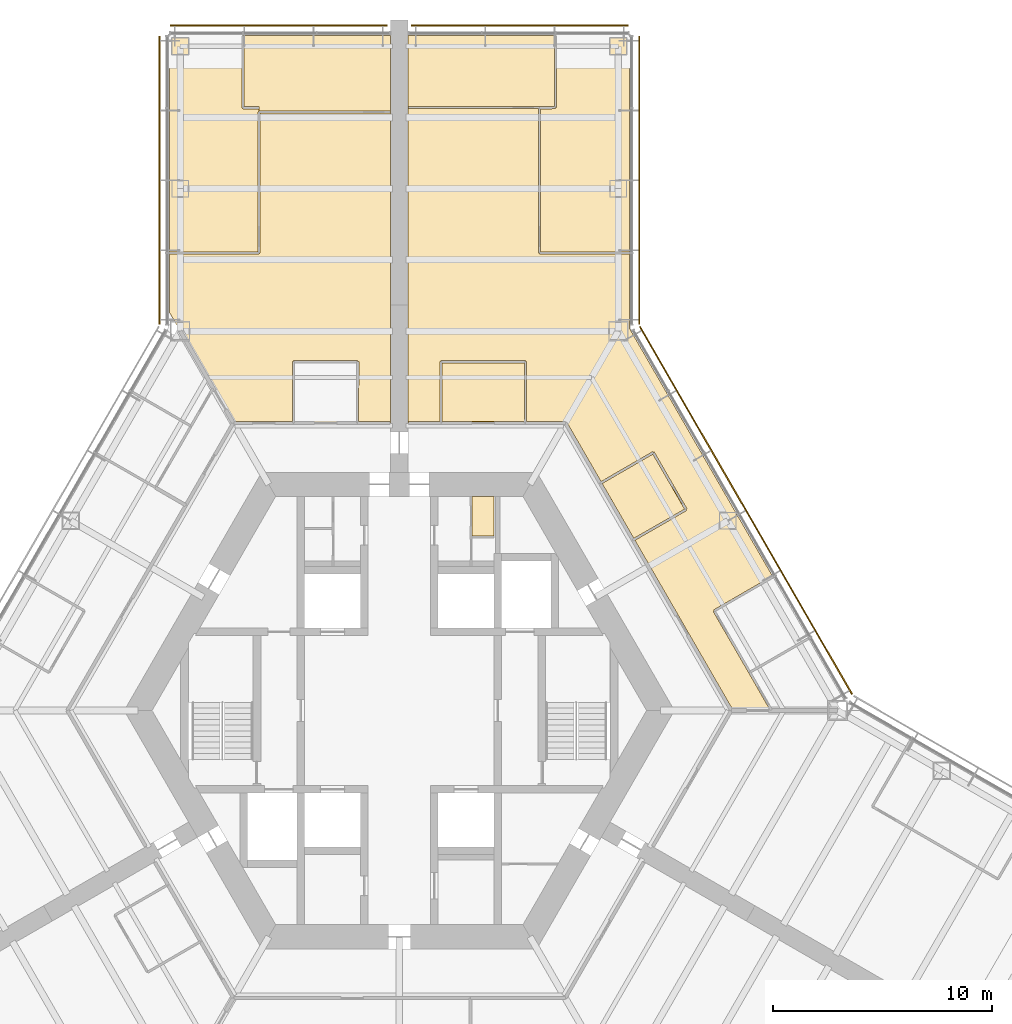
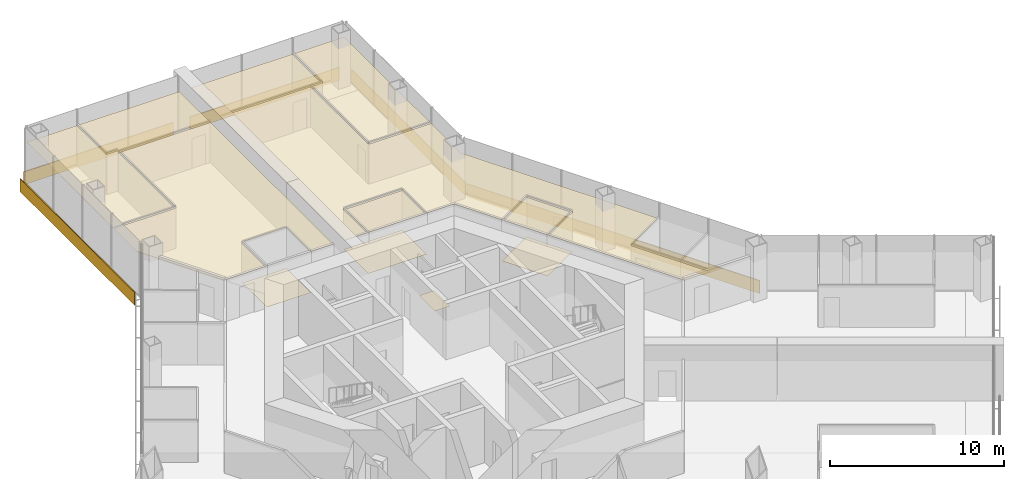
# One storey, part 18 of 18: 12 coverings, 5 shading devices.
"""IFC4 building model written with IfcOpenShell, lengths in metres."""

from ifc_helpers import new_model, si_unit, direction, frame, origin, origin_2d, place, context, subcontext, project, spatial, polyline, rectangle, outline, extrude, material, layer, layer_set, type_object, element, save


model = new_model("IFC4")

# Units and contexts
model_context = context("Model", 3, precision=1e-05, world=origin(), true_north=direction((0.0, 1.0)))
body_context = subcontext(model_context, "Body", "Model", "MODEL_VIEW")
ifc_project = project(units=[si_unit("LENGTHUNIT", "METRE"), si_unit("AREAUNIT", "SQUARE_METRE"), si_unit("VOLUMEUNIT", "CUBIC_METRE"), si_unit("PLANEANGLEUNIT", "RADIAN"), si_unit("MASSUNIT", "GRAM", prefix="KILO")], contexts=[model_context])

# Site, building, storey
site_placement = place(None, origin())
site = spatial("IfcSite", under=ifc_project, at=site_placement, CompositionType="ELEMENT")
building_placement = place(site_placement, origin())
building = spatial("IfcBuilding", under=site, at=building_placement, Name="Kasaneha Research Tower", CompositionType="ELEMENT")
storey_placement = place(building_placement, frame((0.0, 0.0, 61.199951171875)))
storey = spatial("IfcBuildingStorey", under=building, at=storey_placement, Name="L15", CompositionType="ELEMENT", Elevation=61.199951171875)

# Coverings
ifc_material_1 = material(Name="Gypsum ceiling board", Category="gypsum")
ifc_layer_1 = layer(ifc_material_1, 0.02001953125)
ifc_layer_set_1 = layer_set([ifc_layer_1], Name="Suspended ceiling 20")
covering_type_1 = type_object("IfcCoveringType", Name="Suspended ceiling 20", PredefinedType="CEILING", material=ifc_layer_set_1)
covering_1_placement = place(storey_placement, frame((0.0, 0.0, 2.800048828125)))
element("IfcCovering", 1, at=covering_1_placement, inside=storey, type_object=covering_type_1, Name="Ceiling L15-28", PredefinedType="CEILING", context=body_context, shape_type="SweptSolid", body=[
    extrude(outline(polyline([(1.954345703125, 13.199951171875), (1.9501953125, 15.875), (5.70703125, 15.875), (5.70263671875, 13.199951171875), (1.954345703125, 13.199951171875)])), origin(), (0.0, 0.0, 1.0), 0.02001953125),
])
covering_2_placement = place(storey_placement, frame((0.0, 0.0, 2.800048828125)))
element("IfcCovering", 2, at=covering_2_placement, inside=storey, type_object=covering_type_1, Name="Ceiling L15-29", PredefinedType="CEILING", context=body_context, shape_type="SweptSolid", body=[
    extrude(outline(polyline([(11.5732421875, 11.70458984375), (13.023193359375, 9.193359375), (10.704345703125, 7.859619140625), (9.2587890625, 10.363525390625), (11.5732421875, 11.70458984375)])), origin(), (0.0, 0.0, 1.0), 0.02001953125),
])
covering_3_placement = place(storey_placement, frame((0.0, 0.0, 2.800048828125)))
element("IfcCovering", 3, at=covering_3_placement, inside=storey, type_object=covering_type_1, Name="Ceiling L15-30", PredefinedType="CEILING", context=body_context, shape_type="SweptSolid", body=[
    extrude(outline(polyline([(7.1337890625, 30.821044921875), (10.50048828125, 30.820556640625), (10.5, 20.89111328125), (10.5, 20.941162109375), (6.449951171875, 20.941162109375), (6.453857421875, 27.4658203125), (7.133544921875, 27.470458984375), (7.13330078125, 27.5205078125), (7.183349609375, 27.5205078125), (7.18359375, 30.800537109375), (7.1337890625, 30.800537109375), (7.1337890625, 30.821044921875)])), origin(), (0.0, 0.0, 1.0), 0.02001953125),
])
covering_4_placement = place(storey_placement, frame((0.0, 0.0, 2.800048828125)))
element("IfcCovering", 4, at=covering_4_placement, inside=storey, type_object=covering_type_1, Name="Ceiling L15-31", PredefinedType="CEILING", context=body_context, shape_type="SweptSolid", body=[
    extrude(outline(polyline([(7.13330078125, 30.820556640625), (7.13330078125, 30.800537109375), (7.083740234375, 30.800537109375), (7.083251953125, 27.570068359375), (6.404052734375, 27.5654296875), (6.404052734375, 27.570556640625), (0.419921875, 27.570556640625), (0.419921875, 27.5205078125), (0.39990234375, 27.5205078125), (0.39990234375, 30.820556640625), (7.13330078125, 30.820556640625)])), origin(), (0.0, 0.0, 1.0), 0.02001953125),
])
covering_5_placement = place(storey_placement, frame((0.0, 0.0, 2.800048828125)))
element("IfcCovering", 5, at=covering_5_placement, inside=storey, type_object=covering_type_1, Name="Ceiling L15-34", PredefinedType="CEILING", context=body_context, shape_type="SweptSolid", body=[
    extrude(outline(polyline([(15.156005859375, 0.0), (15.144287109375, 0.020263671875), (15.208740234375, 0.0576171875), (10.75439453125, 7.77294921875), (13.116455078125, 9.131591796875), (13.091552734375, 9.174560546875), (13.092041015625, 9.1748046875), (13.091796875, 9.175048828125), (13.134765625, 9.199951171875), (11.634765625, 11.798095703125), (11.591796875, 11.773193359375), (11.591796875, 11.7734375), (11.59130859375, 11.773193359375), (11.56640625, 11.816162109375), (9.208740234375, 10.449951171875), (7.642578125, 13.16259765625), (7.578125, 13.125244140625), (7.578125, 13.12548828125), (7.57763671875, 13.12548828125), (7.57763671875, 13.199951171875), (5.802734375, 13.199951171875), (5.806884765625, 15.9248046875), (5.757080078125, 15.925048828125), (5.757080078125, 15.925537109375), (5.757080078125, 15.925537109375), (5.757080078125, 15.97509765625), (1.89990234375, 15.97509765625), (1.89990234375, 15.925537109375), (1.899658203125, 15.925537109375), (1.899658203125, 15.925048828125), (1.85009765625, 15.9248046875), (1.8544921875, 13.199951171875), (0.419921875, 13.199951171875), (0.419921875, 13.12548828125), (0.39990234375, 13.12548828125), (0.39990234375, 27.52001953125), (0.419921875, 27.52001953125), (0.419921875, 27.470458984375), (6.35400390625, 27.470458984375), (6.35009765625, 20.89111328125), (6.399658203125, 20.89111328125), (6.399658203125, 20.890869140625), (6.39990234375, 20.890869140625), (6.39990234375, 20.841064453125), (10.5, 20.841064453125), (10.5, 17.45458984375), (17.055908203125, 6.09912109375), (17.055908203125, 6.09912109375), (17.03125, 6.14208984375), (14.346435546875, 4.592041015625), (14.37158203125, 4.548828125), (14.328125, 4.523681640625), (15.95556640625, 1.714599609375), (16.93994140625, 0.0), (15.156005859375, 0.0)])), origin(), (0.0, 0.0, 1.0), 0.02001953125),
])
covering_6_placement = place(storey_placement, frame((0.0, 0.0, 2.800048828125)))
element("IfcCovering", 6, at=covering_6_placement, inside=storey, type_object=covering_type_1, Name="Ceiling L15-37", PredefinedType="CEILING", context=body_context, shape_type="SweptSolid", body=[
    extrude(outline(polyline([(-7.1337890625, 30.821044921875), (-7.1337890625, 30.800537109375), (-7.18359375, 30.800537109375), (-7.183837890625, 27.5107421875), (-7.1337890625, 27.5107421875), (-7.1337890625, 27.5107421875), (-7.1337890625, 27.5107421875), (-7.1337890625, 27.460693359375), (-6.39990234375, 27.460693359375), (-6.39990234375, 27.324951171875), (-6.449951171875, 27.324951171875), (-6.449951171875, 20.941162109375), (-10.5, 20.941162109375), (-10.5, 20.89111328125), (-10.50048828125, 30.820556640625), (-7.1337890625, 30.821044921875)])), origin(), (0.0, 0.0, 1.0), 0.02001953125),
])
covering_7_placement = place(storey_placement, frame((0.0, 0.0, 2.800048828125)))
element("IfcCovering", 7, at=covering_7_placement, inside=storey, type_object=covering_type_1, Name="Ceiling L15-38", PredefinedType="CEILING", context=body_context, shape_type="SweptSolid", body=[
    extrude(outline(polyline([(-0.39990234375, 27.320556640625), (-0.419921875, 27.320556640625), (-0.419921875, 27.37060546875), (-6.39990234375, 27.375), (-6.39990234375, 27.324951171875), (-6.39990234375, 27.460693359375), (-6.39990234375, 27.5107421875), (-6.39990234375, 27.560791015625), (-7.083740234375, 27.560791015625), (-7.083740234375, 30.800537109375), (-7.13330078125, 30.800537109375), (-7.13330078125, 30.820556640625), (-0.39990234375, 30.820556640625), (-0.39990234375, 27.320556640625)])), origin(), (0.0, 0.0, 1.0), 0.02001953125),
])
covering_8_placement = place(storey_placement, frame((0.0, 0.0, 2.800048828125)))
element("IfcCovering", 8, at=covering_8_placement, inside=storey, type_object=covering_type_1, Name="Ceiling L15-39", PredefinedType="CEILING", context=body_context, shape_type="SweptSolid", body=[
    extrude(outline(polyline([(-1.899658203125, 15.925537109375), (-1.89990234375, 15.925537109375), (-1.89990234375, 15.97509765625), (-4.8291015625, 15.97509765625), (-4.8291015625, 15.925537109375), (-4.8291015625, 15.925048828125), (-4.87890625, 15.9248046875), (-4.87451171875, 13.199951171875), (-7.5546875, 13.199951171875), (-7.5546875, 13.12548828125), (-7.577880859375, 13.12548828125), (-8.469970703125, 14.67041015625), (-8.467041015625, 14.67529296875), (-8.475830078125, 14.680419921875), (-10.5, 18.1865234375), (-10.5, 20.841064453125), (-6.39990234375, 20.841064453125), (-6.39990234375, 20.890869140625), (-6.399658203125, 20.890869140625), (-6.399658203125, 20.89111328125), (-6.35009765625, 20.89111328125), (-6.35009765625, 27.27490234375), (-0.419921875, 27.2705078125), (-0.419921875, 27.320068359375), (-0.39990234375, 27.320068359375), (-0.39990234375, 13.12548828125), (-0.419921875, 13.12548828125), (-0.419921875, 13.199951171875), (-1.8544921875, 13.199951171875), (-1.85009765625, 15.9248046875), (-1.899658203125, 15.925048828125), (-1.899658203125, 15.925537109375)])), origin(), (0.0, 0.0, 1.0), 0.02001953125),
])

# Shading devices
ifc_material_2 = material(Name="Terracotta", Category="masonry")
ifc_layer_2 = layer(ifc_material_2, 0.06005859375)
ifc_layer_set_2 = layer_set([ifc_layer_2], Name="Terracotta baguette screen")
shading_device_type = type_object("IfcShadingDeviceType", Name="Terracotta baguette screen", PredefinedType="USERDEFINED", material=ifc_layer_set_2)
shading_device_1_placement = place(storey_placement, frame((15.82275390625, 9.13525390625, -0.449951171875), z_axis=(0.0, 0.0, 1.0), x_axis=(-0.49999996188, 0.866025425793, 0.0)))
element("IfcShadingDevice", 9, at=shading_device_1_placement, inside=storey, type_object=shading_device_type, Name="Baguette screen L15 07", ObjectType="TERRACOTTA BAGUETTE SCREEN", PredefinedType="USERDEFINED", context=body_context, shape_type="SweptSolid", body=[
    extrude(rectangle(XDim=19.37841796875, YDim=0.06005859375, at=origin_2d()), origin(), (0.0, 0.0, 1.0), 0.89990234375),
])
shading_device_2_placement = place(storey_placement, frame((10.949951171875, 24.200927734375, -0.449951171875), z_axis=(0.0, 0.0, 1.0), x_axis=(0.0, 1.0, 0.0)))
element("IfcShadingDevice", 10, at=shading_device_2_placement, inside=storey, type_object=shading_device_type, Name="Baguette screen L15 08", ObjectType="TERRACOTTA BAGUETTE SCREEN", PredefinedType="USERDEFINED", context=body_context, shape_type="SweptSolid", body=[
    extrude(rectangle(XDim=13.13916015625, YDim=0.06005859375, at=origin_2d()), origin(), (0.0, 0.0, 1.0), 0.89990234375),
])
for number, where, z_axis, x_axis, name in (
    (11, (5.5, 31.2705078125, -0.449951171875), (0.0, 0.0, 1.0), (-1.0, 0.0, 0.0), "Baguette screen L15 09"),
    (12, (-5.5, 31.2705078125, -0.449951171875), (0.0, 0.0, 1.0), (-1.0, 0.0, 0.0), "Baguette screen L15 10"),
):
    element("IfcShadingDevice", number, at=place(storey_placement, frame(where, z_axis=z_axis, x_axis=x_axis)), inside=storey, type_object=shading_device_type, Name=name, ObjectType="TERRACOTTA BAGUETTE SCREEN", PredefinedType="USERDEFINED", context=body_context, shape_type="SweptSolid", body=[
        extrude(rectangle(XDim=9.89990234375, YDim=0.06005859375, at=origin_2d()), origin(), (0.0, 0.0, 1.0), 0.89990234375),
    ])
shading_device_3_placement = place(storey_placement, frame((-10.949951171875, 24.200927734375, -0.449951171875), z_axis=(0.0, 0.0, 1.0), x_axis=(0.0, -1.0, 0.0)))
element("IfcShadingDevice", 13, at=shading_device_3_placement, inside=storey, type_object=shading_device_type, Name="Baguette screen L15 11", ObjectType="TERRACOTTA BAGUETTE SCREEN", PredefinedType="USERDEFINED", context=body_context, shape_type="SweptSolid", body=[
    extrude(rectangle(XDim=13.13916015625, YDim=0.06005859375, at=origin_2d()), origin(), (0.0, 0.0, 1.0), 0.89990234375),
])

# Coverings
ifc_material_3 = material(Name="Vinyl sheet flooring", Category="plastic")
ifc_layer_3 = layer(ifc_material_3, 0.0048828125)
ifc_layer_set_3 = layer_set([ifc_layer_3], Name="Wet room sheet flooring 5")
covering_type_2 = type_object("IfcCoveringType", Name="Wet room sheet flooring 5", PredefinedType="FLOORING", material=ifc_layer_set_3)
covering_9_placement = place(storey_placement, origin())
element("IfcCovering", 14, at=covering_9_placement, inside=storey, type_object=covering_type_2, Name="Floor finish L15-10", PredefinedType="FLOORING", context=body_context, shape_type="SweptSolid", body=[
    extrude(outline(polyline([(4.324951171875, 7.97509765625), (3.324951171875, 7.97509765625), (3.324951171875, 9.77490234375), (4.324951171875, 9.77490234375), (4.324951171875, 7.97509765625)])), origin(), (0.0, 0.0, 1.0), 0.005126953125),
])
covering_10_placement = place(storey_placement, origin())
element("IfcCovering", 15, at=covering_10_placement, inside=storey, type_object=covering_type_2, Name="Floor finish L15-28", PredefinedType="FLOORING", context=body_context, shape_type="SweptSolid", body=[
    extrude(outline(polyline([(1.89990234375, 15.925048828125), (5.757080078125, 15.925048828125), (5.757080078125, 13.125), (1.89990234375, 13.125), (1.89990234375, 15.925048828125)])), origin(), (0.0, 0.0, 1.0), 0.005126953125),
])
covering_11_placement = place(storey_placement, origin())
element("IfcCovering", 16, at=covering_11_placement, inside=storey, type_object=covering_type_2, Name="Floor finish L15-29", PredefinedType="FLOORING", context=body_context, shape_type="SweptSolid", body=[
    extrude(outline(polyline([(11.591552734375, 11.77294921875), (13.091552734375, 9.175048828125), (10.66650390625, 7.77490234375), (9.16650390625, 10.373046875), (11.591552734375, 11.77294921875)])), origin(), (0.0, 0.0, 1.0), 0.005126953125),
])
covering_12_placement = place(storey_placement, origin())
element("IfcCovering", 17, at=covering_12_placement, inside=storey, type_object=covering_type_2, Name="Floor finish L15-36", PredefinedType="FLOORING", context=body_context, shape_type="SweptSolid", body=[
    extrude(outline(polyline([(-4.8291015625, 15.925048828125), (-1.89990234375, 15.925048828125), (-1.89990234375, 13.125), (-4.8291015625, 13.125), (-4.8291015625, 15.925048828125)])), origin(), (0.0, 0.0, 1.0), 0.005126953125),
])

save(model, "model.ifc")
